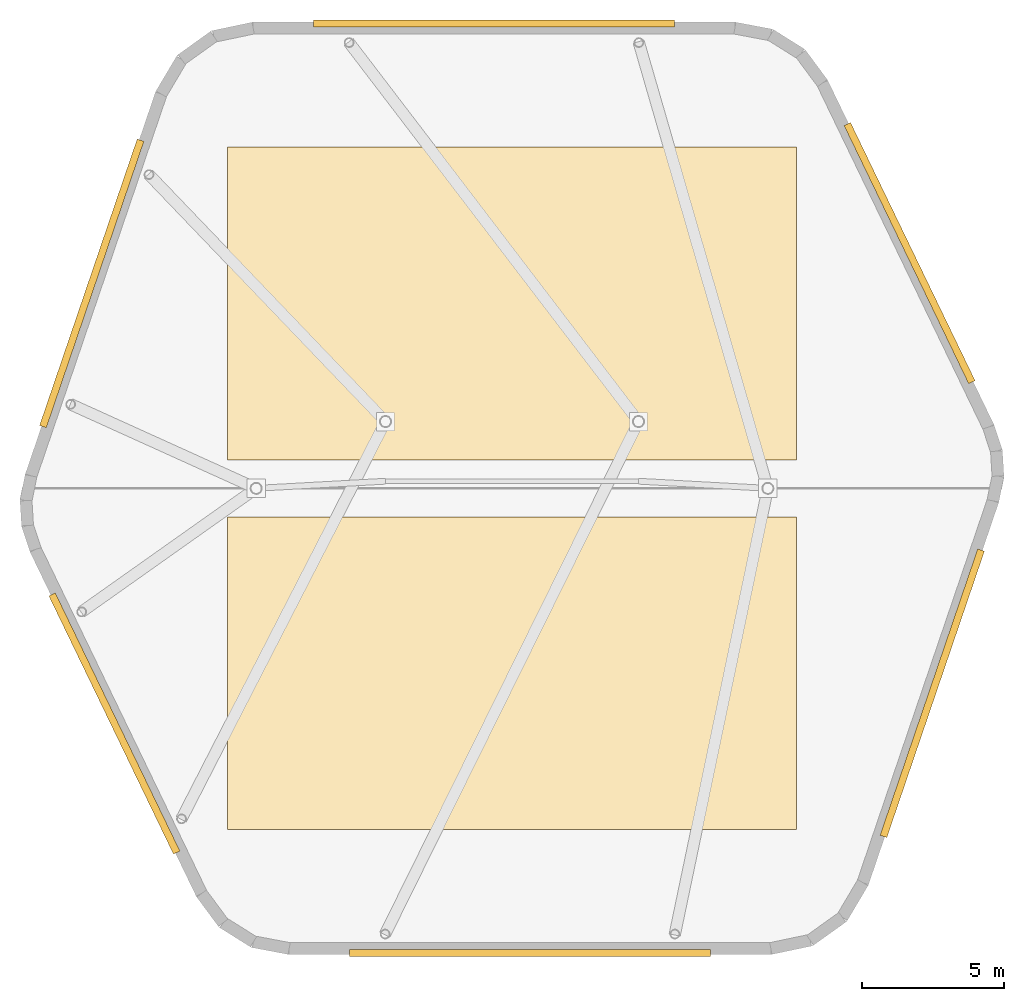
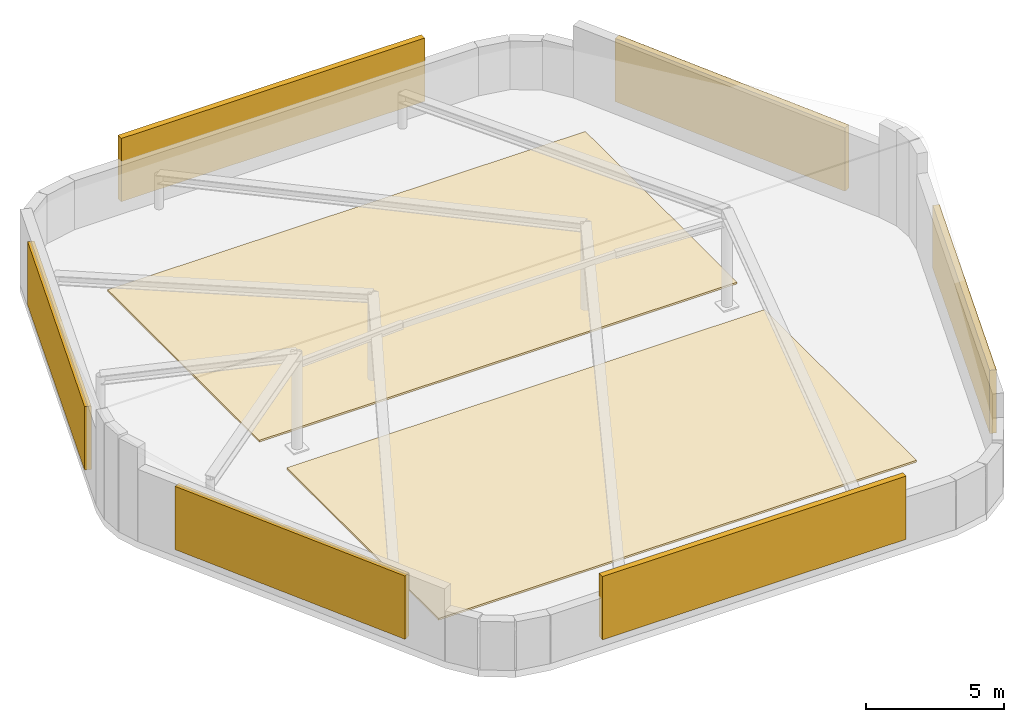
# One storey, part 3 of 3: 6 shading devices, 2 coverings.
"""IFC4 building model written with IfcOpenShell, lengths in metres."""

from ifc_helpers import new_model, si_unit, direction, frame, origin, origin_2d, place, context, subcontext, project, spatial, polyline, rectangle, outline, extrude, material, layer, layer_set, type_object, element, save


model = new_model("IFC4")

# Units and contexts
model_context = context("Model", 3, precision=1e-05, world=origin(), true_north=direction((0.0, 1.0)))
body_context = subcontext(model_context, "Body", "Model", "MODEL_VIEW")
ifc_project = project(units=[si_unit("LENGTHUNIT", "METRE"), si_unit("AREAUNIT", "SQUARE_METRE"), si_unit("VOLUMEUNIT", "CUBIC_METRE"), si_unit("PLANEANGLEUNIT", "RADIAN"), si_unit("MASSUNIT", "GRAM", prefix="KILO")], contexts=[model_context])

# Site, building, storey
site_placement = place(None, origin())
site = spatial("IfcSite", under=ifc_project, at=site_placement, CompositionType="ELEMENT")
building_placement = place(site_placement, origin())
building = spatial("IfcBuilding", under=site, at=building_placement, Name="Kilnhurst Terrace Hotel", CompositionType="ELEMENT")
storey_placement = place(building_placement, frame((0.0, 0.0, 321.39990234375)))
storey = spatial("IfcBuildingStorey", under=building, at=storey_placement, Name="RF", CompositionType="ELEMENT", Elevation=321.39990234375)

# Coverings
ifc_material_1 = material(Name="TPO Single-Ply Waterproofing Membrane and Rigid Insulation")
ifc_layer_1 = layer(ifc_material_1, 0.080078125, Name="TPO Single-Ply Waterproofing Membrane and Rigid Insulation")
ifc_layer_set_1 = layer_set([ifc_layer_1], Name="TPO Single-Ply Waterproofing Membrane and Rigid Insulation")
covering_type = type_object("IfcCoveringType", Name="COV-ROOF-MEM", PredefinedType="ROOFING", material=ifc_layer_set_1)
covering_1_placement = place(storey_placement, origin())
element("IfcCovering", 1, at=covering_1_placement, inside=storey, type_object=covering_type, Name="RF Crown Deck Waterproofing Membrane South", PredefinedType="ROOFING", context=body_context, shape_type="SweptSolid", body=[
    extrude(outline(polyline([(-10.0, -12.0), (10.0, -12.0), (10.0, -1.0), (-10.0, -1.0), (-10.0, -12.0)])), origin(), (0.0, 0.0, 1.0), 0.080078125),
])
covering_2_placement = place(storey_placement, origin())
element("IfcCovering", 2, at=covering_2_placement, inside=storey, type_object=covering_type, Name="RF Crown Deck Waterproofing Membrane North", PredefinedType="ROOFING", context=body_context, shape_type="SweptSolid", body=[
    extrude(outline(polyline([(-10.0, 1.0), (10.0, 1.0), (10.0, 12.0), (-10.0, 12.0), (-10.0, 1.0)])), origin(), (0.0, 0.0, 1.0), 0.080078125),
])

# Shading devices
ifc_material_2 = material(Name="Bronze Anodized Extruded Aluminium Alloy 6063-T6", Category="aluminium")
ifc_layer_2 = layer(ifc_material_2, 0.25, Name="Bronze Anodized Extruded Aluminium Alloy 6063-T6")
ifc_layer_set_2 = layer_set([ifc_layer_2], Name="Bronze Anodized Extruded Aluminium Alloy 6063-T6")
shading_device_type = type_object("IfcShadingDeviceType", Name="SHD-LVR-2800", PredefinedType="USERDEFINED", material=ifc_layer_set_2)
shading_device_1_placement = place(storey_placement, frame((0.6328125, -16.35009765625, 0.35009765625), z_axis=(0.0, 0.0, 1.0), x_axis=(1.0, 0.0, 0.0)))
element("IfcShadingDevice", 3, at=shading_device_1_placement, inside=storey, type_object=shading_device_type, Name="RF Crown Lantern Acoustic Louvre Screen 1", ObjectType="LOUVRE", PredefinedType="USERDEFINED", context=body_context, shape_type="SweptSolid", body=[
    extrude(rectangle(XDim=12.7099609375, YDim=0.25, at=origin_2d()), origin(), (0.0, 0.0, 1.0), 2.800048828125),
])
shading_device_2_placement = place(storey_placement, frame((14.783447265625, -7.2080078125, 0.35009765625), z_axis=(0.0, 0.0, 1.0), x_axis=(0.322546557531, 0.946553600292, 0.0)))
element("IfcShadingDevice", 4, at=shading_device_2_placement, inside=storey, type_object=shading_device_type, Name="RF Crown Lantern Acoustic Louvre Screen 2", ObjectType="LOUVRE", PredefinedType="USERDEFINED", context=body_context, shape_type="SweptSolid", body=[
    extrude(rectangle(XDim=10.64306640625, YDim=0.25, at=origin_2d()), origin(), (0.0, 0.0, 1.0), 2.800048828125),
])
shading_device_3_placement = place(storey_placement, frame((13.986572265625, 8.2734375, 0.35009765625), z_axis=(0.0, 0.0, 1.0), x_axis=(-0.434665326531, 0.900592057433, 0.0)))
element("IfcShadingDevice", 5, at=shading_device_3_placement, inside=storey, type_object=shading_device_type, Name="RF Crown Lantern Acoustic Louvre Screen 3", ObjectType="LOUVRE", PredefinedType="USERDEFINED", context=body_context, shape_type="SweptSolid", body=[
    extrude(rectangle(XDim=10.080078125, YDim=0.25, at=origin_2d()), origin(), (0.0, 0.0, 1.0), 2.800048828125),
])
shading_device_4_placement = place(storey_placement, frame((-0.6328125, 16.35009765625, 0.35009765625), z_axis=(0.0, 0.0, 1.0), x_axis=(-1.0, 0.0, 0.0)))
element("IfcShadingDevice", 6, at=shading_device_4_placement, inside=storey, type_object=shading_device_type, Name="RF Crown Lantern Acoustic Louvre Screen 4", ObjectType="LOUVRE", PredefinedType="USERDEFINED", context=body_context, shape_type="SweptSolid", body=[
    extrude(rectangle(XDim=12.7099609375, YDim=0.25, at=origin_2d()), origin(), (0.0, 0.0, 1.0), 2.800048828125),
])
shading_device_5_placement = place(storey_placement, frame((-14.783447265625, 7.2080078125, 0.35009765625), z_axis=(0.0, 0.0, 1.0), x_axis=(-0.322546557531, -0.946553600292, 0.0)))
element("IfcShadingDevice", 7, at=shading_device_5_placement, inside=storey, type_object=shading_device_type, Name="RF Crown Lantern Acoustic Louvre Screen 5", ObjectType="LOUVRE", PredefinedType="USERDEFINED", context=body_context, shape_type="SweptSolid", body=[
    extrude(rectangle(XDim=10.64306640625, YDim=0.25, at=origin_2d()), origin(), (0.0, 0.0, 1.0), 2.800048828125),
])
shading_device_6_placement = place(storey_placement, frame((-13.986572265625, -8.2734375, 0.35009765625), z_axis=(0.0, 0.0, 1.0), x_axis=(0.434665326531, -0.900592057433, 0.0)))
element("IfcShadingDevice", 8, at=shading_device_6_placement, inside=storey, type_object=shading_device_type, Name="RF Crown Lantern Acoustic Louvre Screen 6", ObjectType="LOUVRE", PredefinedType="USERDEFINED", context=body_context, shape_type="SweptSolid", body=[
    extrude(rectangle(XDim=10.080078125, YDim=0.25, at=origin_2d()), origin(), (0.0, 0.0, 1.0), 2.800048828125),
])

save(model, "model.ifc")
